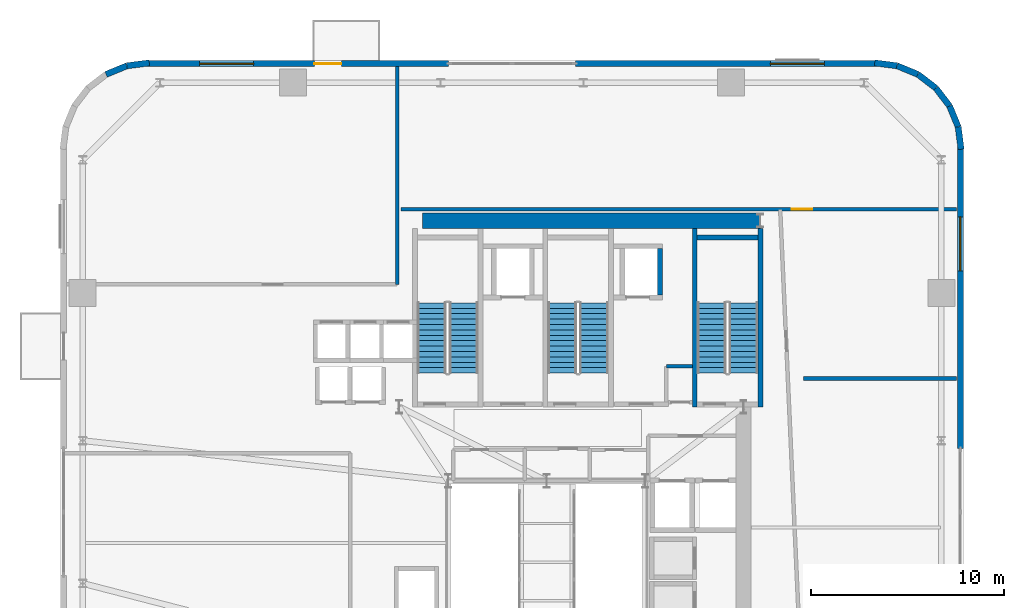
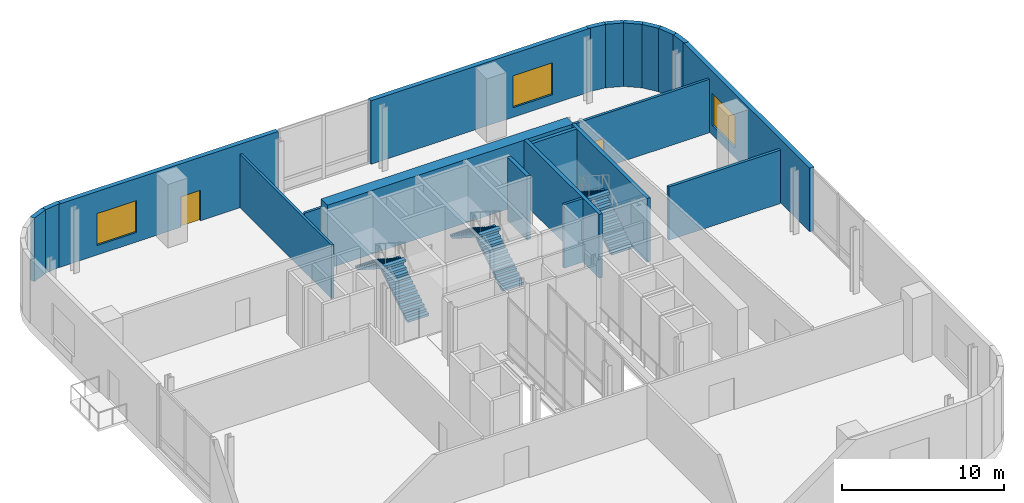
# One storey, part 11 of 14: 20 walls, 6 stair flights, 3 windows, 2 doors, 5 openings, 3 elements without a shape of their own.
"""IFC4 building model written with IfcOpenShell, lengths in metres."""

from ifc_helpers import new_model, si_unit, direction, frame, frame_2d, origin, place, context, subcontext, project, spatial, polyline, rectangle, outline, extrude, source, transform, mapped, material, layer, layer_set, type_object, element, fill, aggregate, save


model = new_model("IFC4")

# Units and contexts
model_context = context("Model", 3, precision=1e-05, world=origin(), true_north=direction((0.0, 1.0)))
body_context = subcontext(model_context, "Body", "Model", "MODEL_VIEW")
ifc_project = project(units=[si_unit("LENGTHUNIT", "METRE"), si_unit("AREAUNIT", "SQUARE_METRE"), si_unit("VOLUMEUNIT", "CUBIC_METRE"), si_unit("PLANEANGLEUNIT", "RADIAN"), si_unit("MASSUNIT", "GRAM", prefix="KILO")], contexts=[model_context])

# Site, building, storey
site_placement = place(None, origin())
site = spatial("IfcSite", under=ifc_project, at=site_placement, CompositionType="ELEMENT")
building_placement = place(site_placement, origin())
building = spatial("IfcBuilding", under=site, at=building_placement, Name="Vardaveli Station Tower", CompositionType="ELEMENT")
storey_placement = place(building_placement, frame((0.0, 0.0, 172.199951171875)))
storey = spatial("IfcBuildingStorey", under=building, at=storey_placement, Name="L44", CompositionType="ELEMENT", Elevation=172.199951171875)

# Wall
ifc_material_1 = material(Name="Concrete C50/60", Category="concrete")
ifc_layer_1 = layer(ifc_material_1, 0.800048828125, Name="Concrete C50/60")
ifc_layer_set_1 = layer_set([ifc_layer_1], Name="Concrete C50/60")
wall_type_1 = type_object("IfcWallType", Name="WAL-CORE-800", PredefinedType="SHEAR", material=ifc_layer_set_1)
shared_shape_1 = source(origin(), body_context, "Body", "SweptSolid", [
    extrude(rectangle(XDim=17.52001953125, YDim=0.800048828125, at=frame_2d((8.760009765625, 0.0))), origin(), (0.0, 0.0, 1.0), 4.780029296875),
])
wall_1_placement = place(storey_placement, frame((29.85009765625, 40.300048828125, 0.0), z_axis=(0.0, 0.0, 1.0), x_axis=(1.0, 0.0, 0.0)))
element("IfcWall", 1, at=wall_1_placement, inside=storey, type_object=wall_type_1, Name="SW-L44-NORTH", PredefinedType="SHEAR", context=body_context, shape_type="MappedRepresentation", body=[
    mapped(shared_shape_1, transform((0.0, 0.0, 0.0), scale=1.0)),
])

# Wall, opening, window
ifc_material_2 = material(Name="Precast concrete C45/55", Category="concrete")
ifc_layer_2 = layer(ifc_material_2, 0.320068359375, Name="Precast concrete C45/55")
ifc_layer_set_2 = layer_set([ifc_layer_2], Name="Precast concrete C45/55")
wall_type_2 = type_object("IfcWallType", Name="WAL-EXT-STONE-320", PredefinedType="SOLIDWALL", material=ifc_layer_set_2)
shared_shape_2 = source(origin(), body_context, "Body", "SweptSolid", [
    extrude(rectangle(XDim=15.599853515625, YDim=0.320068359375, at=frame_2d((7.7998046875, 0.0))), origin(), (0.0, 0.0, 1.0), 4.780029296875),
])
wall_2_placement = place(storey_placement, frame((53.39990234375, 48.43994140625, 0.0), z_axis=(0.0, 0.0, 1.0), x_axis=(-1.0, 0.0, 0.0)))
wall_2 = element("IfcWall", 2, at=wall_2_placement, inside=storey, type_object=wall_type_2, Name="EW-L44-N1", PredefinedType="SOLIDWALL", context=body_context, shape_type="MappedRepresentation", body=[
    mapped(shared_shape_2, transform((0.0, 0.0, 0.0), scale=1.0)),
])
shared_shape_3 = source(origin(), body_context, "Body", "SweptSolid", [
    extrude(rectangle(XDim=2.800048828125, YDim=2.39990234375, at=frame_2d((1.39990234375, 1.199951171875))), frame((0.0, 0.169921875, 0.0), z_axis=(0.0, -1.0, 0.0), x_axis=(1.0, 0.0, 0.0)), (0.0, 0.0, 1.0), 0.340087890625),
])
opening_1_placement = place(wall_2_placement, frame((2.705078125, 0.0, 0.719970703125)))
opening_1 = element("IfcOpeningElement", 3, at=opening_1_placement, cuts=wall_2, Name="Opening W-04", PredefinedType="OPENING", context=body_context, shape_type="MappedRepresentation", body=[
    mapped(shared_shape_3, transform((0.0, 0.0, 0.0), scale=1.0)),
])
ifc_material_3 = material(Name="Low-E solar-control glass", Category="glass")
window_type = type_object("IfcWindowType", Name="WIN-SUITE-2800x2400", PartitioningType="SINGLE_PANEL", PredefinedType="WINDOW", material=ifc_material_3)
shared_shape_4 = source(origin(), body_context, "Body", "SweptSolid", [
    extrude(rectangle(XDim=2.800048828125, YDim=2.39990234375, at=frame_2d((1.39990234375, 1.199951171875))), frame((0.0, 0.030029296875, 0.0), z_axis=(0.0, -1.0, 0.0), x_axis=(1.0, 0.0, 0.0)), (0.0, 0.0, 1.0), 0.06005859375),
])
window_1_placement = place(opening_1_placement, origin())
window_1 = element("IfcWindow", 4, at=window_1_placement, inside=storey, type_object=window_type, Name="WN-L44-N1", OverallHeight=2.39990234375, OverallWidth=2.800048828125, PartitioningType="SINGLE_PANEL", PredefinedType="WINDOW", context=body_context, shape_type="MappedRepresentation", body=[
    mapped(shared_shape_4, transform((0.0, 0.0, 0.0), scale=1.0)),
])
fill(opening_1, window_1)

# Wall, openings, door, window
wall_3_placement = place(storey_placement, frame((31.199951171875, 48.43994140625, 0.0), z_axis=(0.0, 0.0, 1.0), x_axis=(-1.0, 0.0, 0.0)))
wall_3 = element("IfcWall", 5, at=wall_3_placement, inside=storey, type_object=wall_type_2, Name="EW-L44-N2", PredefinedType="SOLIDWALL", context=body_context, shape_type="MappedRepresentation", body=[
    mapped(shared_shape_2, transform((0.0, 0.0, 0.0), scale=1.0)),
])
shared_shape_5 = source(origin(), body_context, "Body", "SweptSolid", [
    extrude(rectangle(XDim=1.39990234375, YDim=2.300048828125, at=frame_2d((0.699951171875, 1.14990234375))), frame((0.0, 0.169921875, 0.0), z_axis=(0.0, -1.0, 0.0), x_axis=(1.0, 0.0, 0.0)), (0.0, 0.0, 1.0), 0.340087890625),
])
opening_2_placement = place(wall_3_placement, frame((5.53955078125, 0.0, 0.0)))
opening_2 = element("IfcOpeningElement", 6, at=opening_2_placement, cuts=wall_3, Name="Opening D-09", PredefinedType="OPENING", context=body_context, shape_type="MappedRepresentation", body=[
    mapped(shared_shape_5, transform((0.0, 0.0, 0.0), scale=1.0)),
])
opening_3_placement = place(wall_3_placement, frame((10.094970703125, 0.0, 0.719970703125)))
opening_3 = element("IfcOpeningElement", 7, at=opening_3_placement, cuts=wall_3, Name="Opening W-04", PredefinedType="OPENING", context=body_context, shape_type="MappedRepresentation", body=[
    mapped(shared_shape_3, transform((0.0, 0.0, 0.0), scale=1.0)),
])
ifc_material_4 = material(Name="Thermally broken aluminium glass", Category="aluminium")
door_type_1 = type_object("IfcDoorType", Name="DR-LOG-1400x2300", OperationType="DOUBLE_DOOR_SLIDING", PredefinedType="DOOR", material=ifc_material_4)
shared_shape_6 = source(origin(), body_context, "Body", "SweptSolid", [
    extrude(rectangle(XDim=1.39990234375, YDim=2.300048828125, at=frame_2d((0.699951171875, 1.14990234375))), frame((0.0, 0.02490234375, 0.0), z_axis=(0.0, -1.0, 0.0), x_axis=(1.0, 0.0, 0.0)), (0.0, 0.0, 1.0), 0.050048828125),
])
door_1_placement = place(opening_2_placement, frame((1.39990234375, 0.0, 0.0), z_axis=(0.0, 0.0, 1.0), x_axis=(-1.0, 0.0, 0.0)))
door_1 = element("IfcDoor", 8, at=door_1_placement, inside=storey, type_object=door_type_1, Name="DLG-L44-N", OperationType="DOUBLE_DOOR_SLIDING", OverallHeight=2.300048828125, OverallWidth=1.39990234375, PredefinedType="DOOR", context=body_context, shape_type="MappedRepresentation", body=[
    mapped(shared_shape_6, transform((0.0, 0.0, 0.0), scale=1.0)),
])
fill(opening_2, door_1)
window_2_placement = place(opening_3_placement, origin())
window_2 = element("IfcWindow", 9, at=window_2_placement, inside=storey, type_object=window_type, Name="WN-L44-N2", OverallHeight=2.39990234375, OverallWidth=2.800048828125, PartitioningType="SINGLE_PANEL", PredefinedType="WINDOW", context=body_context, shape_type="MappedRepresentation", body=[
    mapped(shared_shape_4, transform((0.0, 0.0, 0.0), scale=1.0)),
])
fill(opening_3, window_2)

# Wall, opening, window
shared_shape_7 = source(origin(), body_context, "Body", "SweptSolid", [
    extrude(rectangle(XDim=15.60009765625, YDim=0.320068359375, at=frame_2d((7.800048828125, 0.0))), origin(), (0.0, 0.0, 1.0), 4.780029296875),
])
wall_4_placement = place(storey_placement, frame((57.739990234375, 28.5, 0.0), z_axis=(0.0, 0.0, 1.0), x_axis=(0.0, 1.0, 0.0)))
wall_4 = element("IfcWall", 10, at=wall_4_placement, inside=storey, type_object=wall_type_2, Name="EW-L44-E2", PredefinedType="SOLIDWALL", context=body_context, shape_type="MappedRepresentation", body=[
    mapped(shared_shape_7, transform((0.0, 0.0, 0.0), scale=1.0)),
])
opening_4_placement = place(wall_4_placement, frame((9.195068359375, 0.0, 0.719970703125)))
opening_4 = element("IfcOpeningElement", 11, at=opening_4_placement, cuts=wall_4, Name="Opening W-04", PredefinedType="OPENING", context=body_context, shape_type="MappedRepresentation", body=[
    mapped(shared_shape_3, transform((0.0, 0.0, 0.0), scale=1.0)),
])
window_3_placement = place(opening_4_placement, origin())
window_3 = element("IfcWindow", 12, at=window_3_placement, inside=storey, type_object=window_type, Name="WN-L44-E2", OverallHeight=2.39990234375, OverallWidth=2.800048828125, PartitioningType="SINGLE_PANEL", PredefinedType="WINDOW", context=body_context, shape_type="MappedRepresentation", body=[
    mapped(shared_shape_4, transform((0.0, 0.0, 0.0), scale=1.0)),
])
fill(opening_4, window_3)

# Walls
shared_shape_8 = source(origin(), body_context, "Body", "SweptSolid", [
    extrude(rectangle(XDim=1.1689453125, YDim=0.320068359375, at=frame_2d((0.58447265625, 0.0))), origin(), (0.0, 0.0, 1.0), 4.780029296875),
])
wall_5_placement = place(storey_placement, frame((57.179931640625, 46.2412109375, 0.0), z_axis=(0.0, 0.0, 1.0), x_axis=(-0.608387696831, 0.793639975269, 0.0)))
element("IfcWall", 13, at=wall_5_placement, inside=storey, type_object=wall_type_2, Name="EW-L44-CR3-3", PredefinedType="SOLIDWALL", context=body_context, shape_type="MappedRepresentation", body=[
    mapped(shared_shape_8, transform((0.0, 0.0, 0.0), scale=1.0)),
])
shared_shape_9 = source(origin(), body_context, "Body", "SweptSolid", [
    extrude(rectangle(XDim=1.168701171875, YDim=0.320068359375, at=frame_2d((0.58447265625, 0.0))), origin(), (0.0, 0.0, 1.0), 4.780029296875),
])
wall_6_placement = place(storey_placement, frame((56.46875, 47.1689453125, 0.0), z_axis=(0.0, 0.0, 1.0), x_axis=(-0.793663520347, 0.608356981114, 0.0)))
element("IfcWall", 14, at=wall_6_placement, inside=storey, type_object=wall_type_2, Name="EW-L44-CR3-4", PredefinedType="SOLIDWALL", context=body_context, shape_type="MappedRepresentation", body=[
    mapped(shared_shape_9, transform((0.0, 0.0, 0.0), scale=1.0)),
])
shared_shape_10 = source(origin(), body_context, "Body", "SweptSolid", [
    extrude(rectangle(XDim=1.17041015625, YDim=0.320068359375, at=frame_2d((0.585205078125, 0.0))), origin(), (0.0, 0.0, 1.0), 4.780029296875),
])
for number, where, z_axis, x_axis, name in (
    (15, (57.775634765625, 43.99951171875, 0.0), (0.0, 0.0, 1.0), (-0.128295670475, 0.991735963317, 0.0), "EW-L44-CR3-1"),
    (16, (54.460205078125, 48.325439453125, 0.0), (0.0, 0.0, 1.0), (-0.991735963317, 0.128295670475, 0.0), "EW-L44-CR3-6"),
    (17, (15.700439453125, 48.4755859375, 0.0), (0.0, 0.0, 1.0), (-0.991735963317, -0.128295670475, 0.0), "EW-L44-CR4-1"),
):
    element("IfcWall", number, at=place(storey_placement, frame(where, z_axis=z_axis, x_axis=x_axis)), inside=storey, type_object=wall_type_2, Name=name, PredefinedType="SOLIDWALL", context=body_context, shape_type="MappedRepresentation", body=[
        mapped(shared_shape_10, transform((0.0, 0.0, 0.0), scale=1.0)),
    ])
shared_shape_11 = source(origin(), body_context, "Body", "SweptSolid", [
    extrude(rectangle(XDim=1.169189453125, YDim=0.320068359375, at=frame_2d((0.58447265625, 0.0))), origin(), (0.0, 0.0, 1.0), 4.780029296875),
])
for number, where, z_axis, x_axis, name in (
    (18, (57.62548828125, 45.16015625, 0.0), (0.0, 0.0, 1.0), (-0.381054331552, 0.924552646638, 0.0), "EW-L44-CR3-2"),
    (19, (55.541259765625, 47.8798828125, 0.0), (0.0, 0.0, 1.0), (-0.924552646638, 0.381054331552, 0.0), "EW-L44-CR3-5"),
    (20, (14.539794921875, 48.325439453125, 0.0), (0.0, 0.0, 1.0), (-0.924552646638, -0.381054331552, 0.0), "EW-L44-CR4-2"),
):
    element("IfcWall", number, at=place(storey_placement, frame(where, z_axis=z_axis, x_axis=x_axis)), inside=storey, type_object=wall_type_2, Name=name, PredefinedType="SOLIDWALL", context=body_context, shape_type="MappedRepresentation", body=[
        mapped(shared_shape_11, transform((0.0, 0.0, 0.0), scale=1.0)),
    ])
ifc_material_5 = material(Name="Concrete C40/50", Category="concrete")
ifc_layer_3 = layer(ifc_material_5, 0.25, Name="Concrete C40/50")
ifc_layer_set_3 = layer_set([ifc_layer_3], Name="Concrete C40/50")
wall_type_3 = type_object("IfcWallType", Name="WAL-SHAFT-250", PredefinedType="SOLIDWALL", material=ifc_layer_set_3)
shared_shape_12 = source(origin(), body_context, "Body", "SweptSolid", [
    extrude(rectangle(XDim=9.25, YDim=0.25, at=frame_2d((4.625, 0.0))), origin(), (0.0, 0.0, 1.0), 4.800048828125),
])
for number, where, z_axis, x_axis, name in (
    (21, (43.97509765625, 30.64990234375, 0.0), (0.0, 0.0, 1.0), (0.0, 1.0, 0.0), "W-L44-ST-3W"),
    (22, (47.375, 30.64990234375, 0.0), (0.0, 0.0, 1.0), (0.0, 1.0, 0.0), "W-L44-ST-3E"),
):
    element("IfcWall", number, at=place(storey_placement, frame(where, z_axis=z_axis, x_axis=x_axis)), inside=storey, type_object=wall_type_3, Name=name, PredefinedType="SOLIDWALL", context=body_context, shape_type="MappedRepresentation", body=[
        mapped(shared_shape_12, transform((0.0, 0.0, 0.0), scale=1.0)),
    ])
shared_shape_13 = source(origin(), body_context, "Body", "SweptSolid", [
    extrude(rectangle(XDim=3.14990234375, YDim=0.25, at=frame_2d((1.574951171875, 0.0))), origin(), (0.0, 0.0, 1.0), 4.800048828125),
])
wall_7_placement = place(storey_placement, frame((44.10009765625, 39.425048828125, 0.0), z_axis=(0.0, 0.0, 1.0), x_axis=(1.0, 0.0, 0.0)))
element("IfcWall", 23, at=wall_7_placement, inside=storey, type_object=wall_type_3, Name="W-L44-ST-3N", PredefinedType="SOLIDWALL", context=body_context, shape_type="MappedRepresentation", body=[
    mapped(shared_shape_13, transform((0.0, 0.0, 0.0), scale=1.0)),
])
shared_shape_14 = source(origin(), body_context, "Body", "SweptSolid", [
    extrude(rectangle(XDim=2.400146484375, YDim=0.25, at=frame_2d((1.2001953125, 0.0))), origin(), (0.0, 0.0, 1.0), 4.780029296875),
])
wall_8_placement = place(storey_placement, frame((42.175048828125, 36.449951171875, 0.0), z_axis=(0.0, 0.0, 1.0), x_axis=(0.0, 1.0, 0.0)))
element("IfcWall", 24, at=wall_8_placement, inside=storey, type_object=wall_type_3, Name="SHW-FFL-02-L44-E", PredefinedType="SOLIDWALL", context=body_context, shape_type="MappedRepresentation", body=[
    mapped(shared_shape_14, transform((0.0, 0.0, 0.0), scale=1.0)),
])

# Wall, opening, door
ifc_material_6 = material(Name="Fire-rated gypsum stud partition")
ifc_layer_4 = layer(ifc_material_6, 0.179931640625, Name="Fire-rated gypsum stud partition")
ifc_layer_set_4 = layer_set([ifc_layer_4], Name="Fire-rated gypsum stud partition")
wall_type_4 = type_object("IfcWallType", Name="WAL-CORR-180", PredefinedType="PARTITIONING", material=ifc_layer_set_4)
shared_shape_15 = source(origin(), body_context, "Body", "SweptSolid", [
    extrude(rectangle(XDim=28.800048828125, YDim=0.179931640625, at=frame_2d((14.39990234375, 0.0))), origin(), (0.0, 0.0, 1.0), 4.02197265625),
])
wall_9_placement = place(storey_placement, frame((28.75, 40.8798828125, 0.0), z_axis=(0.0, 0.0, 1.0), x_axis=(1.0, 0.0, 0.0)))
wall_9 = element("IfcWall", 25, at=wall_9_placement, inside=storey, type_object=wall_type_4, Name="W-L44-NPS", PredefinedType="PARTITIONING", context=body_context, shape_type="MappedRepresentation", body=[
    mapped(shared_shape_15, transform((0.0, 0.0, 0.0), scale=1.0)),
])
shared_shape_16 = source(origin(), body_context, "Body", "SweptSolid", [
    extrude(rectangle(XDim=1.050048828125, YDim=2.199951171875, at=frame_2d((0.52490234375, 1.10009765625))), frame((0.0, 0.10009765625, 0.0), z_axis=(0.0, -1.0, 0.0), x_axis=(1.0, 0.0, 0.0)), (0.0, 0.0, 1.0), 0.199951171875),
])
opening_5_placement = place(wall_9_placement, frame((20.25, 0.0, 0.0)))
opening_5 = element("IfcOpeningElement", 26, at=opening_5_placement, cuts=wall_9, Name="Opening D-05", PredefinedType="OPENING", context=body_context, shape_type="MappedRepresentation", body=[
    mapped(shared_shape_16, transform((0.0, 0.0, 0.0), scale=1.0)),
])
ifc_material_7 = material(Name="Walnut veneer acoustic fire door")
door_type_2 = type_object("IfcDoorType", Name="DR-SUITE-1050x2200", OperationType="NOTDEFINED", PredefinedType="DOOR", material=ifc_material_7)
shared_shape_17 = source(origin(), body_context, "Body", "SweptSolid", [
    extrude(rectangle(XDim=1.050048828125, YDim=2.199951171875, at=frame_2d((0.52490234375, 1.10009765625))), frame((0.0, 0.02490234375, 0.0), z_axis=(0.0, -1.0, 0.0), x_axis=(1.0, 0.0, 0.0)), (0.0, 0.0, 1.0), 0.050048828125),
])
door_2_placement = place(opening_5_placement, origin())
door_2 = element("IfcDoor", 27, at=door_2_placement, inside=storey, type_object=door_type_2, Name="D-L44-NPN", OperationType="SINGLE_SWING_RIGHT", OverallHeight=2.199951171875, OverallWidth=1.050048828125, PredefinedType="DOOR", context=body_context, shape_type="MappedRepresentation", body=[
    mapped(shared_shape_17, transform((0.0, 0.0, 0.0), scale=1.0)),
])
fill(opening_5, door_2)

# Walls
shared_shape_18 = source(origin(), body_context, "Body", "SweptSolid", [
    extrude(rectangle(XDim=11.278076171875, YDim=0.179931640625, at=frame_2d((5.63916015625, 0.0))), origin(), (0.0, 0.0, 1.0), 4.02197265625),
])
wall_10_placement = place(storey_placement, frame((28.550048828125, 37.0, 0.0), z_axis=(0.0, 0.0, 1.0), x_axis=(0.0, 1.0, 0.0)))
element("IfcWall", 28, at=wall_10_placement, inside=storey, type_object=wall_type_4, Name="W-L44-NWC-E", PredefinedType="PARTITIONING", context=body_context, shape_type="MappedRepresentation", body=[
    mapped(shared_shape_18, transform((0.0, 0.0, 0.0), scale=1.0)),
])
ifc_material_8 = material(Name="Acoustic twin-stud gypsum partition")
ifc_layer_5 = layer(ifc_material_8, 0.199951171875, Name="Acoustic twin-stud gypsum partition")
ifc_layer_set_5 = layer_set([ifc_layer_5], Name="Acoustic twin-stud gypsum partition")
wall_type_5 = type_object("IfcWallType", Name="WAL-PARTY-200", PredefinedType="PARTITIONING", material=ifc_layer_set_5)
shared_shape_19 = source(origin(), body_context, "Body", "SweptSolid", [
    extrude(rectangle(XDim=7.949951171875, YDim=0.199951171875, at=frame_2d((3.97509765625, 0.0))), origin(), (0.0, 0.0, 1.0), 4.02197265625),
])
wall_11_placement = place(storey_placement, frame((49.60009765625, 32.1201171875, 0.0), z_axis=(0.0, 0.0, 1.0), x_axis=(1.0, 0.0, 0.0)))
element("IfcWall", 29, at=wall_11_placement, inside=storey, type_object=wall_type_5, Name="W-L44-VIPN", PredefinedType="PARTITIONING", context=body_context, shape_type="MappedRepresentation", body=[
    mapped(shared_shape_19, transform((0.0, 0.0, 0.0), scale=1.0)),
])
shared_shape_20 = source(origin(), body_context, "Body", "SweptSolid", [
    extrude(rectangle(XDim=1.347900390625, YDim=0.179931640625, at=frame_2d((0.673828125, 0.0))), origin(), (0.0, 0.0, 1.0), 4.780029296875),
])
wall_12_placement = place(storey_placement, frame((42.5, 32.75, 0.0), z_axis=(0.0, 0.0, 1.0), x_axis=(1.0, 0.0, 0.0)))
element("IfcWall", 30, at=wall_12_placement, inside=storey, type_object=wall_type_4, Name="W-L44-CBS2A-N", PredefinedType="PARTITIONING", context=body_context, shape_type="MappedRepresentation", body=[
    mapped(shared_shape_20, transform((0.0, 0.0, 0.0), scale=1.0)),
])

# Stair, stair flights
stair_type = type_object("IfcStairType", Name="STR-CORE-1500", PredefinedType="HALF_TURN_STAIR", material=ifc_material_5)
stair_1_placement = place(storey_placement, origin())
stair_1 = element("IfcStair", 31, at=stair_1_placement, inside=storey, type_object=stair_type, Name="L44 ST-1", PredefinedType="HALF_TURN_STAIR")
stair_flight_type = type_object("IfcStairFlightType", Name="SFL-CORE-1500", PredefinedType="STRAIGHT", material=ifc_material_5)
shared_shape_21 = source(origin(), body_context, "Body", "SweptSolid", [
    extrude(outline(polyline([(0.0, 0.0), (0.0, 0.178466796875), (0.280029296875, 0.178466796875), (0.280029296875, 0.357177734375), (0.56005859375, 0.357177734375), (0.56005859375, 0.53564453125), (0.840087890625, 0.53564453125), (0.840087890625, 0.71435546875), (1.1201171875, 0.71435546875), (1.1201171875, 0.892822265625), (1.39990234375, 0.892822265625), (1.39990234375, 1.071533203125), (1.679931640625, 1.071533203125), (1.679931640625, 1.25), (1.9599609375, 1.25), (1.9599609375, 1.428466796875), (2.239990234375, 1.428466796875), (2.239990234375, 1.607177734375), (2.52001953125, 1.607177734375), (2.52001953125, 1.78564453125), (2.800048828125, 1.78564453125), (2.800048828125, 1.96435546875), (3.080078125, 1.96435546875), (3.080078125, 2.142822265625), (3.360107421875, 2.142822265625), (3.360107421875, 2.321533203125), (3.639892578125, 2.321533203125), (3.639892578125, 2.5), (3.639892578125, 2.1435546875), (0.27880859375, 0.0), (0.0, 0.0)])), frame((0.0, 0.75, 0.0), z_axis=(0.0, -1.0, 0.0), x_axis=(1.0, 0.0, 0.0)), (0.0, 0.0, 1.0), 1.5),
])
stair_flight_1_placement = place(storey_placement, frame((32.0, 32.39990234375, 0.0), z_axis=(0.0, 0.0, 1.0), x_axis=(0.0, 1.0, 0.0)))
stair_flight_1 = element("IfcStairFlight", 32, at=stair_flight_1_placement, type_object=stair_flight_type, Name="ST-1 flight 1", NumberOfRisers=14, NumberOfTreads=13, PredefinedType="STRAIGHT", RiserHeight=0.178571429, TreadLength=0.28, context=body_context, shape_type="MappedRepresentation", body=[
    mapped(shared_shape_21, transform((0.0, 0.0, 0.0), scale=1.0)),
])
stair_flight_2_placement = place(storey_placement, frame((30.35009765625, 36.0400390625, 2.5), z_axis=(0.0, 0.0, 1.0), x_axis=(0.0, -1.0, 0.0)))
stair_flight_2 = element("IfcStairFlight", 33, at=stair_flight_2_placement, type_object=stair_flight_type, Name="ST-1 flight 2", NumberOfRisers=14, NumberOfTreads=13, PredefinedType="STRAIGHT", RiserHeight=0.178571429, TreadLength=0.28, context=body_context, shape_type="MappedRepresentation", body=[
    mapped(shared_shape_21, transform((0.0, 0.0, 0.0), scale=1.0)),
])
aggregate(stair_1, [stair_flight_1, stair_flight_2])

stair_2_placement = place(storey_placement, origin())
stair_2 = element("IfcStair", 34, at=stair_2_placement, inside=storey, type_object=stair_type, Name="L44 ST-2", PredefinedType="HALF_TURN_STAIR")
stair_flight_3_placement = place(storey_placement, frame((38.75, 32.39990234375, 0.0), z_axis=(0.0, 0.0, 1.0), x_axis=(0.0, 1.0, 0.0)))
stair_flight_3 = element("IfcStairFlight", 35, at=stair_flight_3_placement, type_object=stair_flight_type, Name="ST-2 flight 1", NumberOfRisers=14, NumberOfTreads=13, PredefinedType="STRAIGHT", RiserHeight=0.178571429, TreadLength=0.28, context=body_context, shape_type="MappedRepresentation", body=[
    mapped(shared_shape_21, transform((0.0, 0.0, 0.0), scale=1.0)),
])
stair_flight_4_placement = place(storey_placement, frame((37.10009765625, 36.0400390625, 2.5), z_axis=(0.0, 0.0, 1.0), x_axis=(0.0, -1.0, 0.0)))
stair_flight_4 = element("IfcStairFlight", 36, at=stair_flight_4_placement, type_object=stair_flight_type, Name="ST-2 flight 2", NumberOfRisers=14, NumberOfTreads=13, PredefinedType="STRAIGHT", RiserHeight=0.178571429, TreadLength=0.28, context=body_context, shape_type="MappedRepresentation", body=[
    mapped(shared_shape_21, transform((0.0, 0.0, 0.0), scale=1.0)),
])
aggregate(stair_2, [stair_flight_3, stair_flight_4])

stair_3_placement = place(storey_placement, origin())
stair_3 = element("IfcStair", 37, at=stair_3_placement, inside=storey, type_object=stair_type, Name="L44 ST-3", PredefinedType="HALF_TURN_STAIR")
stair_flight_5_placement = place(storey_placement, frame((46.5, 32.39990234375, 0.0), z_axis=(0.0, 0.0, 1.0), x_axis=(0.0, 1.0, 0.0)))
stair_flight_5 = element("IfcStairFlight", 38, at=stair_flight_5_placement, type_object=stair_flight_type, Name="ST-3 flight 1", NumberOfRisers=14, NumberOfTreads=13, PredefinedType="STRAIGHT", RiserHeight=0.178571429, TreadLength=0.28, context=body_context, shape_type="MappedRepresentation", body=[
    mapped(shared_shape_21, transform((0.0, 0.0, 0.0), scale=1.0)),
])
stair_flight_6_placement = place(storey_placement, frame((44.85009765625, 36.0400390625, 2.5), z_axis=(0.0, 0.0, 1.0), x_axis=(0.0, -1.0, 0.0)))
stair_flight_6 = element("IfcStairFlight", 39, at=stair_flight_6_placement, type_object=stair_flight_type, Name="ST-3 flight 2", NumberOfRisers=14, NumberOfTreads=13, PredefinedType="STRAIGHT", RiserHeight=0.178571429, TreadLength=0.28, context=body_context, shape_type="MappedRepresentation", body=[
    mapped(shared_shape_21, transform((0.0, 0.0, 0.0), scale=1.0)),
])
aggregate(stair_3, [stair_flight_5, stair_flight_6])

save(model, "model.ifc")
